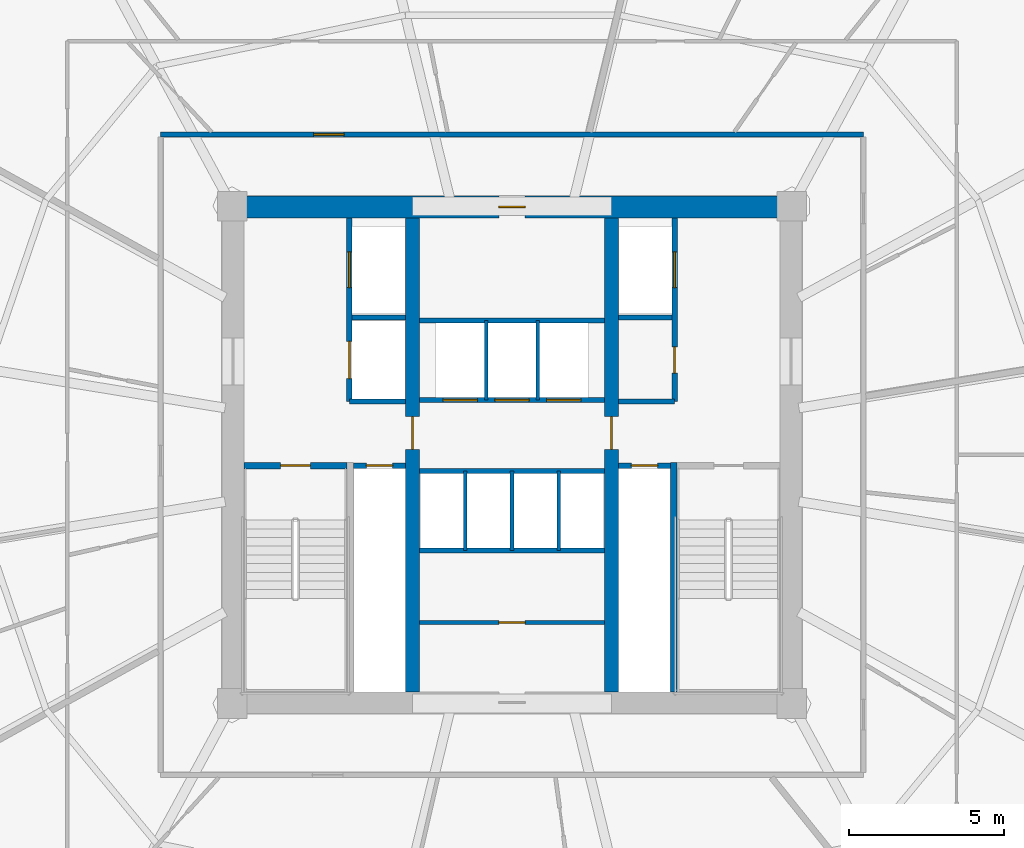
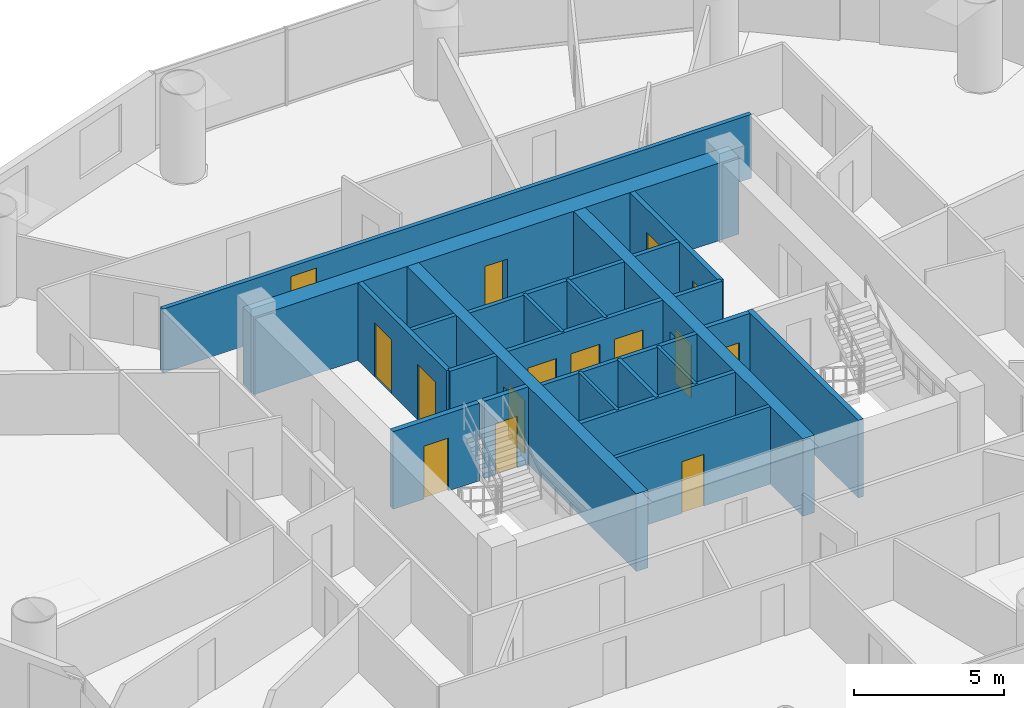
# One storey, part 23 of 29: 24 walls, 15 doors, 15 openings.
"""IFC4 building model written with IfcOpenShell, lengths in metres."""

from ifc_helpers import new_model, si_unit, direction, frame, frame_2d, origin, place, context, subcontext, project, spatial, rectangle, extrude, source, transform, mapped, material, layer, layer_set, type_object, element, fill, save


model = new_model("IFC4")

# Units and contexts
model_context = context("Model", 3, precision=1e-05, world=origin(), true_north=direction((-0.2419218956, 0.970295726276)))
body_context = subcontext(model_context, "Body", "Model", "MODEL_VIEW")
ifc_project = project(units=[si_unit("LENGTHUNIT", "METRE"), si_unit("AREAUNIT", "SQUARE_METRE"), si_unit("VOLUMEUNIT", "CUBIC_METRE"), si_unit("PLANEANGLEUNIT", "RADIAN"), si_unit("MASSUNIT", "GRAM", prefix="KILO")], contexts=[model_context])

# Site, building, storey
site_placement = place(None, origin())
site = spatial("IfcSite", under=ifc_project, at=site_placement, CompositionType="ELEMENT")
building_placement = place(site_placement, origin())
building = spatial("IfcBuilding", under=site, at=building_placement, Name="Cobrevalo Terracotta Tower", CompositionType="ELEMENT")
storey_placement = place(building_placement, frame((0.0, 0.0, 126.60009765625)))
storey = spatial("IfcBuildingStorey", under=building, at=storey_placement, Name="L33", CompositionType="ELEMENT", Elevation=126.60009765625)

# Wall, opening, door
ifc_material_1 = material(Name="Concrete C60", Category="concrete")
ifc_layer_1 = layer(ifc_material_1, 0.699951171875)
ifc_layer_set_1 = layer_set([ifc_layer_1], Name="Concrete C60")
wall_type_1 = type_object("IfcWallType", Name="Core shear wall 700 mm Concrete C60", PredefinedType="SHEAR", material=ifc_layer_set_1)
wall_1_placement = place(storey_placement, frame((28.675048828125, 34.77490234375, 0.0), z_axis=(0.0, 0.0, 1.0), x_axis=(1.0, 0.0, 0.0)))
wall_1 = element("IfcWall", 1, at=wall_1_placement, inside=storey, type_object=wall_type_1, Name="L33 north core shear wall", PredefinedType="SHEAR", context=body_context, shape_type="SweptSolid", body=[
    extrude(rectangle(XDim=18.64990234375, YDim=0.699951171875, at=frame_2d((9.324951171875, 0.0))), origin(), (0.0, 0.0, 1.0), 3.14990234375),
])
opening_1_placement = place(wall_1_placement, frame((8.89990234375, 0.0, 0.0)))
opening_1 = element("IfcOpeningElement", 2, at=opening_1_placement, cuts=wall_1, Name="Opening ID-22", PredefinedType="OPENING", context=body_context, shape_type="SweptSolid", body=[
    extrude(rectangle(XDim=0.85009765625, YDim=2.10009765625, at=frame_2d((0.425048828125, 1.050048828125))), frame((0.0, 0.35986328125, 0.0), z_axis=(0.0, -1.0, 0.0), x_axis=(1.0, 0.0, 0.0)), (0.0, 0.0, 1.0), 0.719970703125),
])
ifc_material_2 = material(Name="Powder-coated steel", Category="steel")
door_type_1 = type_object("IfcDoorType", Name="Riser shaft & meter closet fire access door 850x2100 EI 60", OperationType="NOTDEFINED", PredefinedType="DOOR", material=ifc_material_2)
shared_shape_1 = source(origin(), body_context, "Body", "SweptSolid", [
    extrude(rectangle(XDim=0.85009765625, YDim=2.10009765625, at=frame_2d((0.425048828125, 1.050048828125))), frame((0.0, 0.02490234375, 0.0), z_axis=(0.0, -1.0, 0.0), x_axis=(1.0, 0.0, 0.0)), (0.0, 0.0, 1.0), 0.050048828125),
])
door_1_placement = place(opening_1_placement, frame((0.85009765625, 0.0, 0.0), z_axis=(0.0, 0.0, 1.0), x_axis=(-1.0, 0.0, 0.0)))
door_1 = element("IfcDoor", 3, at=door_1_placement, inside=storey, type_object=door_type_1, Name="L33 core north service door Floor Electrical Switchroom", OperationType="SINGLE_SWING_LEFT", OverallHeight=2.10009765625, OverallWidth=0.85009765625, PredefinedType="DOOR", context=body_context, shape_type="MappedRepresentation", body=[
    mapped(shared_shape_1, transform((0.0, 0.0, 0.0), scale=1.0)),
])
fill(opening_1, door_1)

# Walls
ifc_material_3 = material(Name="Gypsum board on steel stud", Category="steel")
ifc_layer_2 = layer(ifc_material_3, 0.159912109375)
ifc_layer_set_2 = layer_set([ifc_layer_2], Name="Gypsum board on steel stud")
wall_type_2 = type_object("IfcWallType", Name="Fire-rated corridor acoustic partition wall 160 mm", PredefinedType="PARTITIONING", material=ifc_layer_set_2)
wall_2_placement = place(storey_placement, frame((32.860107421875, 31.219970703125, 0.0), z_axis=(0.0, 0.0, 1.0), x_axis=(1.0, 0.0, 0.0)))
element("IfcWall", 4, at=wall_2_placement, inside=storey, type_object=wall_type_2, Name="L33 interior partition IW-L33-FF1-M", PredefinedType="PARTITIONING", context=body_context, shape_type="SweptSolid", body=[
    extrude(rectangle(XDim=1.71484375, YDim=0.159912109375, at=frame_2d((0.857421875, 0.0))), origin(), (0.0, 0.0, 1.0), 3.14990234375),
])
wall_3_placement = place(storey_placement, frame((32.77001953125, 28.52001953125, 0.0), z_axis=(0.0, 0.0, 1.0), x_axis=(1.0, 0.0, 0.0)))
element("IfcWall", 5, at=wall_3_placement, inside=storey, type_object=wall_type_2, Name="L33 interior partition IW-L33-FF1-S", PredefinedType="PARTITIONING", context=body_context, shape_type="SweptSolid", body=[
    extrude(rectangle(XDim=1.804931640625, YDim=0.159912109375, at=frame_2d((0.90234375, 0.0))), origin(), (0.0, 0.0, 1.0), 3.14990234375),
])
wall_4_placement = place(storey_placement, frame((41.425048828125, 31.219970703125, 0.0), z_axis=(0.0, 0.0, 1.0), x_axis=(1.0, 0.0, 0.0)))
element("IfcWall", 6, at=wall_4_placement, inside=storey, type_object=wall_type_2, Name="L33 interior partition IW-L33-FF2-M", PredefinedType="PARTITIONING", context=body_context, shape_type="SweptSolid", body=[
    extrude(rectangle(XDim=1.71484375, YDim=0.159912109375, at=frame_2d((0.857421875, 0.0))), origin(), (0.0, 0.0, 1.0), 3.14990234375),
])
wall_5_placement = place(storey_placement, frame((41.425048828125, 28.52001953125, 0.0), z_axis=(0.0, 0.0, 1.0), x_axis=(1.0, 0.0, 0.0)))
element("IfcWall", 7, at=wall_5_placement, inside=storey, type_object=wall_type_2, Name="L33 interior partition IW-L33-FF2-S", PredefinedType="PARTITIONING", context=body_context, shape_type="SweptSolid", body=[
    extrude(rectangle(XDim=1.804931640625, YDim=0.159912109375, at=frame_2d((0.90234375, 0.0))), origin(), (0.0, 0.0, 1.0), 3.14990234375),
])

# Wall, openings, doors
wall_6_placement = place(storey_placement, frame((35.02490234375, 28.56005859375, 0.0), z_axis=(0.0, 0.0, 1.0), x_axis=(1.0, 0.0, 0.0)))
wall_6 = element("IfcWall", 8, at=wall_6_placement, inside=storey, type_object=wall_type_2, Name="L33 interior partition IW-L33-LB-S", PredefinedType="PARTITIONING", context=body_context, shape_type="SweptSolid", body=[
    extrude(rectangle(XDim=5.9501953125, YDim=0.159912109375, at=frame_2d((2.97509765625, 0.0))), origin(), (0.0, 0.0, 1.0), 3.14990234375),
])
opening_2_placement = place(wall_6_placement, frame((0.760009765625, 0.0, 0.0)))
opening_2 = element("IfcOpeningElement", 9, at=opening_2_placement, cuts=wall_6, Name="Opening LD-01", PredefinedType="OPENING", context=body_context, shape_type="SweptSolid", body=[
    extrude(rectangle(XDim=1.10009765625, YDim=2.199951171875, at=frame_2d((0.550048828125, 1.10009765625))), frame((0.0, 0.08984375, 0.0), z_axis=(0.0, -1.0, 0.0), x_axis=(1.0, 0.0, 0.0)), (0.0, 0.0, 1.0), 0.179931640625),
])
opening_3_placement = place(wall_6_placement, frame((2.425048828125, 0.0, 0.0)))
opening_3 = element("IfcOpeningElement", 10, at=opening_3_placement, cuts=wall_6, Name="Opening LD-01", PredefinedType="OPENING", context=body_context, shape_type="SweptSolid", body=[
    extrude(rectangle(XDim=1.10009765625, YDim=2.199951171875, at=frame_2d((0.550048828125, 1.10009765625))), frame((0.0, 0.08984375, 0.0), z_axis=(0.0, -1.0, 0.0), x_axis=(1.0, 0.0, 0.0)), (0.0, 0.0, 1.0), 0.179931640625),
])
opening_4_placement = place(wall_6_placement, frame((4.090087890625, 0.0, 0.0)))
opening_4 = element("IfcOpeningElement", 11, at=opening_4_placement, cuts=wall_6, Name="Opening LD-01", PredefinedType="OPENING", context=body_context, shape_type="SweptSolid", body=[
    extrude(rectangle(XDim=1.10009765625, YDim=2.199951171875, at=frame_2d((0.550048828125, 1.10009765625))), frame((0.0, 0.08984375, 0.0), z_axis=(0.0, -1.0, 0.0), x_axis=(1.0, 0.0, 0.0)), (0.0, 0.0, 1.0), 0.179931640625),
])
ifc_material_4 = material(Name="Brushed stainless steel", Category="steel")
door_type_2 = type_object("IfcDoorType", Name="Passenger lift landing bi-parting sliding door 1100x2200 EI 90", OperationType="DOUBLE_DOOR_SLIDING", PredefinedType="DOOR", material=ifc_material_4)
shared_shape_2 = source(origin(), body_context, "Body", "SweptSolid", [
    extrude(rectangle(XDim=1.10009765625, YDim=2.199951171875, at=frame_2d((0.550048828125, 1.10009765625))), frame((0.0, 0.02490234375, 0.0), z_axis=(0.0, -1.0, 0.0), x_axis=(1.0, 0.0, 0.0)), (0.0, 0.0, 1.0), 0.050048828125),
])
door_2_placement = place(opening_2_placement, origin())
door_2 = element("IfcDoor", 12, at=door_2_placement, inside=storey, type_object=door_type_2, Name="L33 lift landing door PL-L1", OperationType="DOUBLE_DOOR_SLIDING", OverallHeight=2.199951171875, OverallWidth=1.10009765625, PredefinedType="DOOR", context=body_context, shape_type="MappedRepresentation", body=[
    mapped(shared_shape_2, transform((0.0, 0.0, 0.0), scale=1.0)),
])
fill(opening_2, door_2)
door_3_placement = place(opening_3_placement, origin())
door_3 = element("IfcDoor", 13, at=door_3_placement, inside=storey, type_object=door_type_2, Name="L33 lift landing door PL-L2", OperationType="DOUBLE_DOOR_SLIDING", OverallHeight=2.199951171875, OverallWidth=1.10009765625, PredefinedType="DOOR", context=body_context, shape_type="MappedRepresentation", body=[
    mapped(shared_shape_2, transform((0.0, 0.0, 0.0), scale=1.0)),
])
fill(opening_3, door_3)
door_4_placement = place(opening_4_placement, origin())
door_4 = element("IfcDoor", 14, at=door_4_placement, inside=storey, type_object=door_type_2, Name="L33 lift landing door PL-L3", OperationType="DOUBLE_DOOR_SLIDING", OverallHeight=2.199951171875, OverallWidth=1.10009765625, PredefinedType="DOOR", context=body_context, shape_type="MappedRepresentation", body=[
    mapped(shared_shape_2, transform((0.0, 0.0, 0.0), scale=1.0)),
])
fill(opening_4, door_4)

# Walls
for number, where, z_axis, x_axis, name in (
    (15, (35.02490234375, 31.1201171875, 0.0), (0.0, 0.0, 1.0), (1.0, 0.0, 0.0), "L33 interior partition IW-L33-LB-N"),
    (16, (35.02490234375, 26.280029296875, 0.0), (0.0, 0.0, 1.0), (1.0, 0.0, 0.0), "L33 interior partition IW-L33-MB-N"),
    (17, (35.02490234375, 23.719970703125, 0.0), (0.0, 0.0, 1.0), (1.0, 0.0, 0.0), "L33 interior partition IW-L33-MB-S"),
):
    element("IfcWall", number, at=place(storey_placement, frame(where, z_axis=z_axis, x_axis=x_axis)), inside=storey, type_object=wall_type_2, Name=name, PredefinedType="PARTITIONING", context=body_context, shape_type="SweptSolid", body=[
        extrude(rectangle(XDim=5.9501953125, YDim=0.159912109375, at=frame_2d((2.97509765625, 0.0))), origin(), (0.0, 0.0, 1.0), 3.14990234375),
    ])

# Wall, opening, door
wall_7_placement = place(storey_placement, frame((26.695068359375, 37.10498046875, 0.0), z_axis=(0.0, 0.0, 1.0), x_axis=(1.0, 0.0, 0.0)))
wall_7 = element("IfcWall", 18, at=wall_7_placement, inside=storey, type_object=wall_type_2, Name="L33 interior partition IW-L33-COR-N", PredefinedType="PARTITIONING", context=body_context, shape_type="SweptSolid", body=[
    extrude(rectangle(XDim=22.60986328125, YDim=0.159912109375, at=frame_2d((11.304931640625, 0.0))), origin(), (0.0, 0.0, 1.0), 2.595947265625),
])
opening_5_placement = place(wall_7_placement, frame((4.925048828125, 0.0, 0.0)))
opening_5 = element("IfcOpeningElement", 19, at=opening_5_placement, cuts=wall_7, Name="Opening ID-05", PredefinedType="OPENING", context=body_context, shape_type="SweptSolid", body=[
    extrude(rectangle(XDim=0.97998046875, YDim=2.199951171875, at=frame_2d((0.489990234375, 1.10009765625))), frame((0.0, 0.08984375, 0.0), z_axis=(0.0, -1.0, 0.0), x_axis=(1.0, 0.0, 0.0)), (0.0, 0.0, 1.0), 0.179931640625),
])
ifc_material_5 = material(Name="Solid hardwood timber", Category="wood")
door_type_3 = type_object("IfcDoorType", Name="Residence entrance fire-rated acoustic timber door 980x2200 EI 60", OperationType="NOTDEFINED", PredefinedType="DOOR", material=ifc_material_5)
shared_shape_3 = source(origin(), body_context, "Body", "SweptSolid", [
    extrude(rectangle(XDim=0.97998046875, YDim=2.199951171875, at=frame_2d((0.489990234375, 1.10009765625))), frame((0.0, 0.02490234375, 0.0), z_axis=(0.0, -1.0, 0.0), x_axis=(1.0, 0.0, 0.0)), (0.0, 0.0, 1.0), 0.050048828125),
])
door_5_placement = place(opening_5_placement, origin())
door_5 = element("IfcDoor", 20, at=door_5_placement, inside=storey, type_object=door_type_3, Name="Flat L33B fire-rated apartment entrance door", OperationType="SINGLE_SWING_LEFT", OverallHeight=2.199951171875, OverallWidth=0.97998046875, PredefinedType="DOOR", context=body_context, shape_type="MappedRepresentation", body=[
    mapped(shared_shape_3, transform((0.0, 0.0, 0.0), scale=1.0)),
])
fill(opening_5, door_5)

ifc_layer_3 = layer(ifc_material_3, 0.179931640625)
ifc_layer_set_3 = layer_set([ifc_layer_3], Name="Gypsum board on steel stud")
wall_type_3 = type_object("IfcWallType", Name="Fire-rated shaft & lobby acoustic partition wall 180 mm", PredefinedType="PARTITIONING", material=ifc_layer_set_3)
wall_8_placement = place(storey_placement, frame((32.89990234375, 26.449951171875, 0.0), z_axis=(0.0, 0.0, 1.0), x_axis=(1.0, 0.0, 0.0)))
wall_8 = element("IfcWall", 21, at=wall_8_placement, inside=storey, type_object=wall_type_3, Name="L33 interior partition IW-L33-RSW-N", PredefinedType="PARTITIONING", context=body_context, shape_type="SweptSolid", body=[
    extrude(rectangle(XDim=1.675048828125, YDim=0.179931640625, at=frame_2d((0.83740234375, 0.0))), origin(), (0.0, 0.0, 1.0), 3.14990234375),
])
opening_6_placement = place(wall_8_placement, frame((0.41259765625, 0.0, 0.0)))
opening_6 = element("IfcOpeningElement", 22, at=opening_6_placement, cuts=wall_8, Name="Opening ID-22", PredefinedType="OPENING", context=body_context, shape_type="SweptSolid", body=[
    extrude(rectangle(XDim=0.85009765625, YDim=2.10009765625, at=frame_2d((0.425048828125, 1.050048828125))), frame((0.0, 0.10009765625, 0.0), z_axis=(0.0, -1.0, 0.0), x_axis=(1.0, 0.0, 0.0)), (0.0, 0.0, 1.0), 0.199951171875),
])
door_6_placement = place(opening_6_placement, origin())
door_6 = element("IfcDoor", 23, at=door_6_placement, inside=storey, type_object=door_type_1, Name="L33 riser access door RSW", OperationType="SINGLE_SWING_LEFT", OverallHeight=2.10009765625, OverallWidth=0.85009765625, PredefinedType="DOOR", context=body_context, shape_type="MappedRepresentation", body=[
    mapped(shared_shape_1, transform((0.0, 0.0, 0.0), scale=1.0)),
])
fill(opening_6, door_6)

wall_9_placement = place(storey_placement, frame((41.425048828125, 26.449951171875, 0.0), z_axis=(0.0, 0.0, 1.0), x_axis=(1.0, 0.0, 0.0)))
wall_9 = element("IfcWall", 24, at=wall_9_placement, inside=storey, type_object=wall_type_3, Name="L33 interior partition IW-L33-RSE-N", PredefinedType="PARTITIONING", context=body_context, shape_type="SweptSolid", body=[
    extrude(rectangle(XDim=1.675048828125, YDim=0.179931640625, at=frame_2d((0.83740234375, 0.0))), origin(), (0.0, 0.0, 1.0), 3.14990234375),
])
opening_7_placement = place(wall_9_placement, frame((0.41259765625, 0.0, 0.0)))
opening_7 = element("IfcOpeningElement", 25, at=opening_7_placement, cuts=wall_9, Name="Opening ID-22", PredefinedType="OPENING", context=body_context, shape_type="SweptSolid", body=[
    extrude(rectangle(XDim=0.85009765625, YDim=2.10009765625, at=frame_2d((0.425048828125, 1.050048828125))), frame((0.0, 0.10009765625, 0.0), z_axis=(0.0, -1.0, 0.0), x_axis=(1.0, 0.0, 0.0)), (0.0, 0.0, 1.0), 0.199951171875),
])
door_7_placement = place(opening_7_placement, origin())
door_7 = element("IfcDoor", 26, at=door_7_placement, inside=storey, type_object=door_type_1, Name="L33 riser access door RSE", OperationType="SINGLE_SWING_RIGHT", OverallHeight=2.10009765625, OverallWidth=0.85009765625, PredefinedType="DOOR", context=body_context, shape_type="MappedRepresentation", body=[
    mapped(shared_shape_1, transform((0.0, 0.0, 0.0), scale=1.0)),
])
fill(opening_7, door_7)

# Wall, openings, doors
wall_10_placement = place(storey_placement, frame((32.77001953125, 28.52001953125, 0.0), z_axis=(0.0, 0.0, 1.0), x_axis=(0.0, 1.0, 0.0)))
wall_10 = element("IfcWall", 27, at=wall_10_placement, inside=storey, type_object=wall_type_3, Name="L33 interior partition IW-L33-FF1-W", PredefinedType="PARTITIONING", context=body_context, shape_type="SweptSolid", body=[
    extrude(rectangle(XDim=5.905029296875, YDim=0.179931640625, at=frame_2d((2.95263671875, 0.0))), origin(), (0.0, 0.0, 1.0), 3.14990234375),
])
opening_8_placement = place(wall_10_placement, frame((3.655029296875, 0.0, 0.0)))
opening_8 = element("IfcOpeningElement", 28, at=opening_8_placement, cuts=wall_10, Name="Opening LD-02", PredefinedType="OPENING", context=body_context, shape_type="SweptSolid", body=[
    extrude(rectangle(XDim=1.14990234375, YDim=2.199951171875, at=frame_2d((0.574951171875, 1.10009765625))), frame((0.0, 0.10009765625, 0.0), z_axis=(0.0, -1.0, 0.0), x_axis=(1.0, 0.0, 0.0)), (0.0, 0.0, 1.0), 0.199951171875),
])
opening_9_placement = place(wall_10_placement, frame((0.72998046875, 0.0, 0.0)))
opening_9 = element("IfcOpeningElement", 29, at=opening_9_placement, cuts=wall_10, Name="Opening LD-03", PredefinedType="OPENING", context=body_context, shape_type="SweptSolid", body=[
    extrude(rectangle(XDim=1.199951171875, YDim=2.25, at=frame_2d((0.60009765625, 1.125))), frame((0.0, 0.10009765625, 0.0), z_axis=(0.0, -1.0, 0.0), x_axis=(1.0, 0.0, 0.0)), (0.0, 0.0, 1.0), 0.199951171875),
])
door_type_4 = type_object("IfcDoorType", Name="Firefighting lift landing bi-parting sliding door 1150x2200 EI 120", OperationType="DOUBLE_DOOR_SLIDING", PredefinedType="DOOR", material=ifc_material_4)
shared_shape_4 = source(origin(), body_context, "Body", "SweptSolid", [
    extrude(rectangle(XDim=1.14990234375, YDim=2.199951171875, at=frame_2d((0.574951171875, 1.10009765625))), frame((0.0, 0.02490234375, 0.0), z_axis=(0.0, -1.0, 0.0), x_axis=(1.0, 0.0, 0.0)), (0.0, 0.0, 1.0), 0.050048828125),
])
door_8_placement = place(opening_8_placement, origin())
door_8 = element("IfcDoor", 30, at=door_8_placement, inside=storey, type_object=door_type_4, Name="L33 lift landing door FF-1", OperationType="DOUBLE_DOOR_SLIDING", OverallHeight=2.199951171875, OverallWidth=1.14990234375, PredefinedType="DOOR", context=body_context, shape_type="MappedRepresentation", body=[
    mapped(shared_shape_4, transform((0.0, 0.0, 0.0), scale=1.0)),
])
fill(opening_8, door_8)
door_type_5 = type_object("IfcDoorType", Name="Service lift landing bi-parting sliding door 1200x2250 EI 120", OperationType="DOUBLE_DOOR_SLIDING", PredefinedType="DOOR", material=ifc_material_4)
shared_shape_5 = source(origin(), body_context, "Body", "SweptSolid", [
    extrude(rectangle(XDim=1.199951171875, YDim=2.25, at=frame_2d((0.60009765625, 1.125))), frame((0.0, 0.02490234375, 0.0), z_axis=(0.0, -1.0, 0.0), x_axis=(1.0, 0.0, 0.0)), (0.0, 0.0, 1.0), 0.050048828125),
])
door_9_placement = place(opening_9_placement, origin())
door_9 = element("IfcDoor", 31, at=door_9_placement, inside=storey, type_object=door_type_5, Name="L33 lift landing door SV-1", OperationType="DOUBLE_DOOR_SLIDING", OverallHeight=2.25, OverallWidth=1.199951171875, PredefinedType="DOOR", context=body_context, shape_type="MappedRepresentation", body=[
    mapped(shared_shape_5, transform((0.0, 0.0, 0.0), scale=1.0)),
])
fill(opening_9, door_9)

wall_11_placement = place(storey_placement, frame((43.22998046875, 28.52001953125, 0.0), z_axis=(0.0, 0.0, 1.0), x_axis=(0.0, 1.0, 0.0)))
wall_11 = element("IfcWall", 32, at=wall_11_placement, inside=storey, type_object=wall_type_3, Name="L33 interior partition IW-L33-FF2-E", PredefinedType="PARTITIONING", context=body_context, shape_type="SweptSolid", body=[
    extrude(rectangle(XDim=5.905029296875, YDim=0.179931640625, at=frame_2d((2.95263671875, 0.0))), origin(), (0.0, 0.0, 1.0), 3.14990234375),
])
opening_10_placement = place(wall_11_placement, frame((0.905029296875, 0.0, 0.0)))
opening_10 = element("IfcOpeningElement", 33, at=opening_10_placement, cuts=wall_11, Name="Opening ID-22", PredefinedType="OPENING", context=body_context, shape_type="SweptSolid", body=[
    extrude(rectangle(XDim=0.85009765625, YDim=2.10009765625, at=frame_2d((0.425048828125, 1.050048828125))), frame((0.0, 0.10009765625, 0.0), z_axis=(0.0, -1.0, 0.0), x_axis=(1.0, 0.0, 0.0)), (0.0, 0.0, 1.0), 0.199951171875),
])
opening_11_placement = place(wall_11_placement, frame((3.655029296875, 0.0, 0.0)))
opening_11 = element("IfcOpeningElement", 34, at=opening_11_placement, cuts=wall_11, Name="Opening LD-02", PredefinedType="OPENING", context=body_context, shape_type="SweptSolid", body=[
    extrude(rectangle(XDim=1.14990234375, YDim=2.199951171875, at=frame_2d((0.574951171875, 1.10009765625))), frame((0.0, 0.10009765625, 0.0), z_axis=(0.0, -1.0, 0.0), x_axis=(1.0, 0.0, 0.0)), (0.0, 0.0, 1.0), 0.199951171875),
])
door_10_placement = place(opening_10_placement, frame((0.85009765625, 0.0, 0.0), z_axis=(0.0, 0.0, 1.0), x_axis=(-1.0, 0.0, 0.0)))
door_10 = element("IfcDoor", 35, at=door_10_placement, inside=storey, type_object=door_type_1, Name="L33 housekeeping store door", OperationType="SINGLE_SWING_RIGHT", OverallHeight=2.10009765625, OverallWidth=0.85009765625, PredefinedType="DOOR", context=body_context, shape_type="MappedRepresentation", body=[
    mapped(shared_shape_1, transform((0.0, 0.0, 0.0), scale=1.0)),
])
fill(opening_10, door_10)
door_11_placement = place(opening_11_placement, origin())
door_11 = element("IfcDoor", 36, at=door_11_placement, inside=storey, type_object=door_type_4, Name="L33 lift landing door FF-2", OperationType="DOUBLE_DOOR_SLIDING", OverallHeight=2.199951171875, OverallWidth=1.14990234375, PredefinedType="DOOR", context=body_context, shape_type="MappedRepresentation", body=[
    mapped(shared_shape_4, transform((0.0, 0.0, 0.0), scale=1.0)),
])
fill(opening_11, door_11)

# Walls
ifc_material_6 = material(Name="Autoclaved aerated concrete block", Category="concrete")
ifc_layer_4 = layer(ifc_material_6, 0.1201171875)
ifc_layer_set_4 = layer_set([ifc_layer_4], Name="Autoclaved aerated concrete block")
wall_type_4 = type_object("IfcWallType", Name="Fire-rated wet-room & core service partition 120 mm", PredefinedType="PARTITIONING", material=ifc_layer_set_4)
for number, where, z_axis, x_axis, name in (
    (37, (37.169921875, 28.56005859375, 0.0), (0.0, 0.0, 1.0), (0.0, 1.0, 0.0), "L33 interior partition IW-L33-LB-D1"),
    (38, (38.830078125, 28.56005859375, 0.0), (0.0, 0.0, 1.0), (0.0, 1.0, 0.0), "L33 interior partition IW-L33-LB-D2"),
    (39, (36.5, 23.719970703125, 0.0), (0.0, 0.0, 1.0), (0.0, 1.0, 0.0), "L33 interior partition IW-L33-MB-D1"),
    (40, (39.5, 23.719970703125, 0.0), (0.0, 0.0, 1.0), (0.0, 1.0, 0.0), "L33 interior partition IW-L33-MB-D3"),
):
    element("IfcWall", number, at=place(storey_placement, frame(where, z_axis=z_axis, x_axis=x_axis)), inside=storey, type_object=wall_type_4, Name=name, PredefinedType="PARTITIONING", context=body_context, shape_type="SweptSolid", body=[
        extrude(rectangle(XDim=2.56005859375, YDim=0.1201171875, at=frame_2d((1.280029296875, 0.0))), origin(), (0.0, 0.0, 1.0), 3.14990234375),
    ])

# Wall, opening, door
ifc_material_7 = material(Name="Concrete C55", Category="concrete")
ifc_layer_5 = layer(ifc_material_7, 0.449951171875)
ifc_layer_set_5 = layer_set([ifc_layer_5], Name="Concrete C55")
wall_type_5 = type_object("IfcWallType", Name="Internal core shear web wall 450 mm Concrete C55", PredefinedType="SHEAR", material=ifc_layer_set_5)
wall_12_placement = place(storey_placement, frame((34.800048828125, 19.175048828125, 0.0), z_axis=(0.0, 0.0, 1.0), x_axis=(0.0, 1.0, 0.0)))
wall_12 = element("IfcWall", 41, at=wall_12_placement, inside=storey, type_object=wall_type_5, Name="L33 internal core shear wall WEB-W", PredefinedType="SHEAR", context=body_context, shape_type="SweptSolid", body=[
    extrude(rectangle(XDim=15.25, YDim=0.449951171875, at=frame_2d((7.625, 0.0))), origin(), (0.0, 0.0, 1.0), 3.14990234375),
])
opening_12_placement = place(wall_12_placement, frame((7.800048828125, 0.0, 0.0)))
opening_12 = element("IfcOpeningElement", 42, at=opening_12_placement, cuts=wall_12, Name="Opening ID-11", PredefinedType="OPENING", context=body_context, shape_type="SweptSolid", body=[
    extrude(rectangle(XDim=1.050048828125, YDim=2.14990234375, at=frame_2d((0.52490234375, 1.074951171875))), frame((0.0, 0.23486328125, 0.0), z_axis=(0.0, -1.0, 0.0), x_axis=(1.0, 0.0, 0.0)), (0.0, 0.0, 1.0), 0.469970703125),
])
ifc_material_8 = material(Name="Galvanized fire-rated steel", Category="steel")
door_type_6 = type_object("IfcDoorType", Name="Core concourse cross fire door 1050x2150 EI 90", OperationType="NOTDEFINED", PredefinedType="DOOR", material=ifc_material_8)
shared_shape_6 = source(origin(), body_context, "Body", "SweptSolid", [
    extrude(rectangle(XDim=1.050048828125, YDim=2.14990234375, at=frame_2d((0.52490234375, 1.074951171875))), frame((0.0, 0.02490234375, 0.0), z_axis=(0.0, -1.0, 0.0), x_axis=(1.0, 0.0, 0.0)), (0.0, 0.0, 1.0), 0.050048828125),
])
door_12_placement = place(opening_12_placement, origin())
door_12 = element("IfcDoor", 43, at=door_12_placement, inside=storey, type_object=door_type_6, Name="L33 west core concourse cross door", OperationType="SINGLE_SWING_LEFT", OverallHeight=2.14990234375, OverallWidth=1.050048828125, PredefinedType="DOOR", context=body_context, shape_type="MappedRepresentation", body=[
    mapped(shared_shape_6, transform((0.0, 0.0, 0.0), scale=1.0)),
])
fill(opening_12, door_12)

wall_13_placement = place(storey_placement, frame((41.199951171875, 19.175048828125, 0.0), z_axis=(0.0, 0.0, 1.0), x_axis=(0.0, 1.0, 0.0)))
wall_13 = element("IfcWall", 44, at=wall_13_placement, inside=storey, type_object=wall_type_5, Name="L33 internal core shear wall WEB-E", PredefinedType="SHEAR", context=body_context, shape_type="SweptSolid", body=[
    extrude(rectangle(XDim=15.25, YDim=0.449951171875, at=frame_2d((7.625, 0.0))), origin(), (0.0, 0.0, 1.0), 3.14990234375),
])
opening_13_placement = place(wall_13_placement, frame((7.800048828125, 0.0, 0.0)))
opening_13 = element("IfcOpeningElement", 45, at=opening_13_placement, cuts=wall_13, Name="Opening ID-11", PredefinedType="OPENING", context=body_context, shape_type="SweptSolid", body=[
    extrude(rectangle(XDim=1.050048828125, YDim=2.14990234375, at=frame_2d((0.52490234375, 1.074951171875))), frame((0.0, 0.23486328125, 0.0), z_axis=(0.0, -1.0, 0.0), x_axis=(1.0, 0.0, 0.0)), (0.0, 0.0, 1.0), 0.469970703125),
])
door_13_placement = place(opening_13_placement, frame((1.050048828125, 0.0, 0.0), z_axis=(0.0, 0.0, 1.0), x_axis=(-1.0, 0.0, 0.0)))
door_13 = element("IfcDoor", 46, at=door_13_placement, inside=storey, type_object=door_type_6, Name="L33 east core concourse cross door", OperationType="SINGLE_SWING_RIGHT", OverallHeight=2.14990234375, OverallWidth=1.050048828125, PredefinedType="DOOR", context=body_context, shape_type="MappedRepresentation", body=[
    mapped(shared_shape_6, transform((0.0, 0.0, 0.0), scale=1.0)),
])
fill(opening_13, door_13)

# Wall
ifc_layer_6 = layer(ifc_material_6, 0.139892578125)
ifc_layer_set_6 = layer_set([ifc_layer_6], Name="Autoclaved aerated concrete block")
wall_type_6 = type_object("IfcWallType", Name="Moisture-resistant wet-room & core service partition 140 mm", PredefinedType="PARTITIONING", material=ifc_layer_set_6)
wall_14_placement = place(storey_placement, frame((38.0, 23.719970703125, 0.0), z_axis=(0.0, 0.0, 1.0), x_axis=(0.0, 1.0, 0.0)))
element("IfcWall", 47, at=wall_14_placement, inside=storey, type_object=wall_type_6, Name="L33 interior partition IW-L33-MB-D2", PredefinedType="PARTITIONING", context=body_context, shape_type="SweptSolid", body=[
    extrude(rectangle(XDim=2.56005859375, YDim=0.139892578125, at=frame_2d((1.280029296875, 0.0))), origin(), (0.0, 0.0, 1.0), 3.14990234375),
])

# Wall, opening, door
wall_15_placement = place(storey_placement, frame((35.02490234375, 21.407470703125, 0.0), z_axis=(0.0, 0.0, 1.0), x_axis=(1.0, 0.0, 0.0)))
wall_15 = element("IfcWall", 48, at=wall_15_placement, inside=storey, type_object=wall_type_6, Name="L33 interior partition IW-L33-KVS-H", PredefinedType="PARTITIONING", context=body_context, shape_type="SweptSolid", body=[
    extrude(rectangle(XDim=5.9501953125, YDim=0.139892578125, at=frame_2d((2.97509765625, 0.0))), origin(), (0.0, 0.0, 1.0), 3.14990234375),
])
opening_14_placement = place(wall_15_placement, frame((2.550048828125, 0.0, 0.0)))
opening_14 = element("IfcOpeningElement", 49, at=opening_14_placement, cuts=wall_15, Name="Opening ID-22", PredefinedType="OPENING", context=body_context, shape_type="SweptSolid", body=[
    extrude(rectangle(XDim=0.85009765625, YDim=2.10009765625, at=frame_2d((0.425048828125, 1.050048828125))), frame((0.0, 0.080078125, 0.0), z_axis=(0.0, -1.0, 0.0), x_axis=(1.0, 0.0, 0.0)), (0.0, 0.0, 1.0), 0.159912109375),
])
door_14_placement = place(opening_14_placement, origin())
door_14 = element("IfcDoor", 50, at=door_14_placement, inside=storey, type_object=door_type_1, Name="L33 core manifold inner door", OperationType="SINGLE_SWING_LEFT", OverallHeight=2.10009765625, OverallWidth=0.85009765625, PredefinedType="DOOR", context=body_context, shape_type="MappedRepresentation", body=[
    mapped(shared_shape_1, transform((0.0, 0.0, 0.0), scale=1.0)),
])
fill(opening_14, door_14)

ifc_material_9 = material(Name="Concrete C50", Category="concrete")
ifc_layer_7 = layer(ifc_material_9, 0.199951171875)
ifc_layer_set_7 = layer_set([ifc_layer_7], Name="Concrete C50")
wall_type_7 = type_object("IfcWallType", Name="Structural core & podium stair-shaft RC wall 200 mm Concrete C50", PredefinedType="SOLIDWALL", material=ifc_layer_set_7)
wall_16_placement = place(storey_placement, frame((29.375, 26.449951171875, 0.0), z_axis=(0.0, 0.0, 1.0), x_axis=(1.0, 0.0, 0.0)))
wall_16 = element("IfcWall", 51, at=wall_16_placement, inside=storey, type_object=wall_type_7, Name="L33 ST-1 north structural shaft wall", PredefinedType="SOLIDWALL", context=body_context, shape_type="SweptSolid", body=[
    extrude(rectangle(XDim=3.320068359375, YDim=0.199951171875, at=frame_2d((1.66015625, 0.0))), origin(), (0.0, 0.0, 1.0), 3.14990234375),
])
opening_15_placement = place(wall_16_placement, frame((1.18505859375, 0.0, 0.0)))
opening_15 = element("IfcOpeningElement", 52, at=opening_15_placement, cuts=wall_16, Name="Opening ID-04", PredefinedType="OPENING", context=body_context, shape_type="SweptSolid", body=[
    extrude(rectangle(XDim=0.949951171875, YDim=2.14990234375, at=frame_2d((0.47509765625, 1.074951171875))), frame((0.0, 0.10986328125, 0.0), z_axis=(0.0, -1.0, 0.0), x_axis=(1.0, 0.0, 0.0)), (0.0, 0.0, 1.0), 0.219970703125),
])
door_type_7 = type_object("IfcDoorType", Name="Stair & firefighting lobby fire door 950x2150 EI 90", OperationType="NOTDEFINED", PredefinedType="DOOR", material=ifc_material_8)
shared_shape_7 = source(origin(), body_context, "Body", "SweptSolid", [
    extrude(rectangle(XDim=0.949951171875, YDim=2.14990234375, at=frame_2d((0.47509765625, 1.074951171875))), frame((0.0, 0.02490234375, 0.0), z_axis=(0.0, -1.0, 0.0), x_axis=(1.0, 0.0, 0.0)), (0.0, 0.0, 1.0), 0.050048828125),
])
door_15_placement = place(opening_15_placement, origin())
door_15 = element("IfcDoor", 53, at=door_15_placement, inside=storey, type_object=door_type_7, Name="L33 protected stair ST1 fire door", OperationType="SINGLE_SWING_LEFT", OverallHeight=2.14990234375, OverallWidth=0.949951171875, PredefinedType="DOOR", context=body_context, shape_type="MappedRepresentation", body=[
    mapped(shared_shape_7, transform((0.0, 0.0, 0.0), scale=1.0)),
])
fill(opening_15, door_15)

# Wall
wall_17_placement = place(storey_placement, frame((43.205078125, 19.175048828125, 0.0), z_axis=(0.0, 0.0, 1.0), x_axis=(0.0, 1.0, 0.0)))
element("IfcWall", 54, at=wall_17_placement, inside=storey, type_object=wall_type_7, Name="L33 ST-2 west structural shaft wall", PredefinedType="SOLIDWALL", context=body_context, shape_type="SweptSolid", body=[
    extrude(rectangle(XDim=7.375, YDim=0.199951171875, at=frame_2d((3.6875, 0.0))), origin(), (0.0, 0.0, 1.0), 3.14990234375),
])

save(model, "model.ifc")
